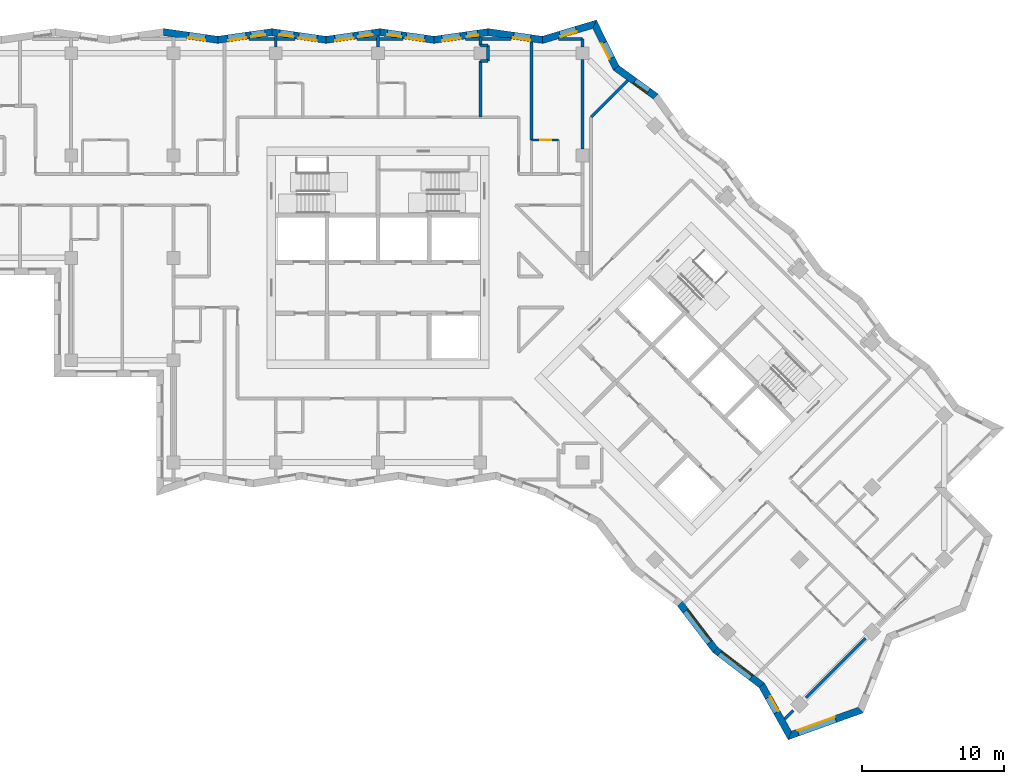
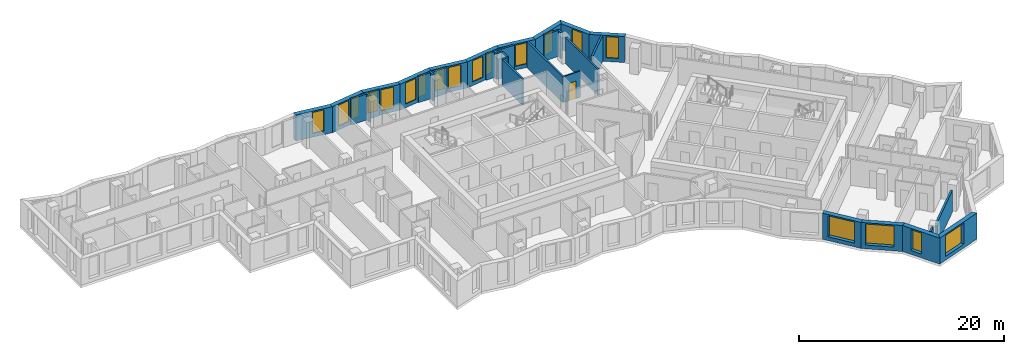
# One storey, part 7 of 12: 32 walls, 19 windows, 1 door, 20 openings.
"""IFC4 building model written with IfcOpenShell, lengths in metres."""

from ifc_helpers import new_model, si_unit, direction, frame, frame_2d, origin, place, context, subcontext, project, spatial, polyline, rectangle, outline, extrude, material, layer, layer_set, type_object, element, fill, save


model = new_model("IFC4")

# Units and contexts
model_context = context("Model", 3, precision=1e-05, world=origin(), true_north=direction((0.0, 1.0)))
body_context = subcontext(model_context, "Body", "Model", "MODEL_VIEW")
ifc_project = project(units=[si_unit("LENGTHUNIT", "METRE"), si_unit("AREAUNIT", "SQUARE_METRE"), si_unit("VOLUMEUNIT", "CUBIC_METRE"), si_unit("PLANEANGLEUNIT", "RADIAN"), si_unit("MASSUNIT", "GRAM", prefix="KILO")], contexts=[model_context])

# Site, building, storey
site_placement = place(None, origin())
site = spatial("IfcSite", under=ifc_project, at=site_placement, CompositionType="ELEMENT")
building_placement = place(site_placement, origin())
building = spatial("IfcBuilding", under=site, at=building_placement, Name="Windrow Commons", CompositionType="ELEMENT")
storey_placement = place(building_placement, frame((0.0, 0.0, 162.6)))
storey = spatial("IfcBuildingStorey", under=building, at=storey_placement, Name="L44", CompositionType="ELEMENT", Elevation=162.6)

# Wall, opening, window
ifc_material_1 = material(Name="Brick masonry, red clay brick", Category="masonry")
ifc_layer_1 = layer(ifc_material_1, 0.5)
ifc_layer_set_1 = layer_set([ifc_layer_1], Name="Brick facade wall 500")
wall_type_1 = type_object("IfcWallType", Name="Brick facade wall 500", PredefinedType="SOLIDWALL", material=ifc_layer_set_1)
wall_1_placement = place(storey_placement, frame((93.7807, 23.9816, 0.0), z_axis=(0.0, 0.0, 1.0), x_axis=(0.9412537462, 0.337700141, 0.0)))
wall_1 = element("IfcWall", 1, at=wall_1_placement, inside=storey, type_object=wall_type_1, Name="Brick facade wall L44 1", PredefinedType="SOLIDWALL", context=body_context, shape_type="SweptSolid", body=[
    extrude(outline(polyline([(-0.2116, -0.25), (5.4118, -0.25), (5.1858, 0.25), (0.2116, 0.25), (-0.2116, -0.25)])), origin(), (0.0, 0.0, 1.0), 3.1),
])
opening_1_placement = place(wall_1_placement, frame((0.6221, 0.0, 0.45)))
opening_1 = element("IfcOpeningElement", 2, at=opening_1_placement, cuts=wall_1, Name="Opening W1U", PredefinedType="OPENING", context=body_context, shape_type="SweptSolid", body=[
    extrude(rectangle(XDim=2.8, YDim=2.5, at=frame_2d((1.4, 1.25))), frame((0.0, 0.26, 0.0), z_axis=(0.0, -1.0, 0.0), x_axis=(1.0, 0.0, 0.0)), (0.0, 0.0, 1.0), 0.52),
])
ifc_material_2 = material(Name="Clear float glass in anodised aluminium frame", Category="aluminium")
window_type_1 = type_object("IfcWindowType", Name="Window W1U bedroom 2800x2500", PartitioningType="SINGLE_PANEL", PredefinedType="WINDOW", material=ifc_material_2)
window_1_placement = place(opening_1_placement, origin())
window_1 = element("IfcWindow", 3, at=window_1_placement, inside=storey, type_object=window_type_1, Name="Window L44 1.1", OverallHeight=2.5, OverallWidth=2.8, PartitioningType="SINGLE_PANEL", PredefinedType="WINDOW", context=body_context, shape_type="SweptSolid", body=[
    extrude(rectangle(XDim=2.8, YDim=2.5, at=frame_2d((1.4, 1.25))), frame((0.0, 0.18, 0.0), z_axis=(0.0, -1.0, 0.0), x_axis=(1.0, 0.0, 0.0)), (0.0, 0.0, 1.0), 0.06),
])
fill(opening_1, window_1)

wall_2_placement = place(storey_placement, frame((84.3481, 68.9575, 0.0), z_axis=(0.0, 0.0, 1.0), x_axis=(-0.8101255807, 0.5862563803, 0.0)))
wall_2 = element("IfcWall", 4, at=wall_2_placement, inside=storey, type_object=wall_type_1, Name="Brick facade wall L44 17", PredefinedType="SOLIDWALL", context=body_context, shape_type="SweptSolid", body=[
    extrude(outline(polyline([(-0.0401, -0.25), (3.3839, -0.25), (3.5075, 0.25), (0.0401, 0.25), (-0.0401, -0.25)])), origin(), (0.0, 0.0, 1.0), 3.1),
])
opening_2_placement = place(wall_2_placement, frame((0.6298, 0.0, 0.45)))
opening_2 = element("IfcOpeningElement", 5, at=opening_2_placement, cuts=wall_2, Name="Opening W7E", PredefinedType="OPENING", context=body_context, shape_type="SweptSolid", body=[
    extrude(rectangle(XDim=1.2, YDim=2.5, at=frame_2d((0.6, 1.25))), frame((0.0, 0.26, 0.0), z_axis=(0.0, -1.0, 0.0), x_axis=(1.0, 0.0, 0.0)), (0.0, 0.0, 1.0), 0.52),
])
ifc_material_3 = material(Name="Clear float glass in anodised aluminium frame", Category="aluminium")
window_type_2 = type_object("IfcWindowType", Name="Window W7 notch 1200x2500", PartitioningType="SINGLE_PANEL", PredefinedType="WINDOW", material=ifc_material_3)
window_2_placement = place(opening_2_placement, origin())
window_2 = element("IfcWindow", 6, at=window_2_placement, inside=storey, type_object=window_type_2, Name="Window L44 17.1", OverallHeight=2.5, OverallWidth=1.2, PartitioningType="SINGLE_PANEL", PredefinedType="WINDOW", context=body_context, shape_type="SweptSolid", body=[
    extrude(rectangle(XDim=1.2, YDim=2.5, at=frame_2d((0.6, 1.25))), frame((0.0, 0.18, 0.0), z_axis=(0.0, -1.0, 0.0), x_axis=(1.0, 0.0, 0.0)), (0.0, 0.0, 1.0), 0.06),
])
fill(opening_2, window_2)

wall_3_placement = place(storey_placement, frame((81.5566, 70.9776, 0.0), z_axis=(0.0, 0.0, 1.0), x_axis=(-0.4436419496, 0.8962041177, 0.0)))
wall_3 = element("IfcWall", 7, at=wall_3_placement, inside=storey, type_object=wall_type_1, Name="Brick facade wall L44 18", PredefinedType="SOLIDWALL", context=body_context, shape_type="SweptSolid", body=[
    extrude(outline(polyline([(0.0618, -0.25), (3.6303, -0.25), (3.2081, 0.25), (-0.0618, 0.25), (0.0618, -0.25)])), origin(), (0.0, 0.0, 1.0), 3.1),
])
opening_3_placement = place(wall_3_placement, frame((0.761, 0.0, 0.45)))
opening_3 = element("IfcOpeningElement", 8, at=opening_3_placement, cuts=wall_3, Name="Opening W7E", PredefinedType="OPENING", context=body_context, shape_type="SweptSolid", body=[
    extrude(rectangle(XDim=1.2, YDim=2.5, at=frame_2d((0.6, 1.25))), frame((0.0, 0.26, 0.0), z_axis=(0.0, -1.0, 0.0), x_axis=(1.0, 0.0, 0.0)), (0.0, 0.0, 1.0), 0.52),
])
window_3_placement = place(opening_3_placement, origin())
window_3 = element("IfcWindow", 9, at=window_3_placement, inside=storey, type_object=window_type_2, Name="Window L44 18.1", OverallHeight=2.5, OverallWidth=1.2, PartitioningType="SINGLE_PANEL", PredefinedType="WINDOW", context=body_context, shape_type="SweptSolid", body=[
    extrude(rectangle(XDim=1.2, YDim=2.5, at=frame_2d((0.6, 1.25))), frame((0.0, 0.18, 0.0), z_axis=(0.0, -1.0, 0.0), x_axis=(1.0, 0.0, 0.0)), (0.0, 0.0, 1.0), 0.06),
])
fill(opening_3, window_3)

wall_4_placement = place(storey_placement, frame((80.0397, 74.0419, 0.0), z_axis=(0.0, 0.0, 1.0), x_axis=(-0.9578277268, -0.2873430803, 0.0)))
wall_4 = element("IfcWall", 10, at=wall_4_placement, inside=storey, type_object=wall_type_1, Name="Brick facade wall L44 19", PredefinedType="SOLIDWALL", context=body_context, shape_type="SweptSolid", body=[
    extrude(outline(polyline([(-0.2111, -0.25), (3.7635, -0.25), (3.8734, 0.25), (0.2111, 0.25), (-0.2111, -0.25)])), origin(), (0.0, 0.0, 1.0), 3.1),
])
opening_4_placement = place(wall_4_placement, frame((1.3476, 0.0, 0.45)))
opening_4 = element("IfcOpeningElement", 11, at=opening_4_placement, cuts=wall_4, Name="Opening W7E", PredefinedType="OPENING", context=body_context, shape_type="SweptSolid", body=[
    extrude(rectangle(XDim=1.2, YDim=2.5, at=frame_2d((0.6, 1.25))), frame((0.0, 0.26, 0.0), z_axis=(0.0, -1.0, 0.0), x_axis=(1.0, 0.0, 0.0)), (0.0, 0.0, 1.0), 0.52),
])
window_4_placement = place(opening_4_placement, origin())
window_4 = element("IfcWindow", 12, at=window_4_placement, inside=storey, type_object=window_type_2, Name="Window L44 19.1", OverallHeight=2.5, OverallWidth=1.2, PartitioningType="SINGLE_PANEL", PredefinedType="WINDOW", context=body_context, shape_type="SweptSolid", body=[
    extrude(rectangle(XDim=1.2, YDim=2.5, at=frame_2d((0.6, 1.25))), frame((0.0, 0.18, 0.0), z_axis=(0.0, -1.0, 0.0), x_axis=(1.0, 0.0, 0.0)), (0.0, 0.0, 1.0), 0.06),
])
fill(opening_4, window_4)

wall_5_placement = place(storey_placement, frame((76.3823, 72.9447, 0.0), z_axis=(0.0, 0.0, 1.0), x_axis=(-0.9900145925, 0.140964913, 0.0)))
wall_5 = element("IfcWall", 13, at=wall_5_placement, inside=storey, type_object=wall_type_1, Name="Brick facade wall L44 20", PredefinedType="SOLIDWALL", context=body_context, shape_type="SweptSolid", body=[
    extrude(outline(polyline([(0.055, -0.25), (3.9004, -0.25), (3.8292, 0.25), (-0.055, 0.25), (0.055, -0.25)])), origin(), (0.0, 0.0, 1.0), 3.1),
])
opening_5_placement = place(wall_5_placement, frame((0.8597, 0.0, 0.45)))
opening_5 = element("IfcOpeningElement", 14, at=opening_5_placement, cuts=wall_5, Name="Opening W7E", PredefinedType="OPENING", context=body_context, shape_type="SweptSolid", body=[
    extrude(rectangle(XDim=1.2, YDim=2.5, at=frame_2d((0.6, 1.25))), frame((0.0, 0.26, 0.0), z_axis=(0.0, -1.0, 0.0), x_axis=(1.0, 0.0, 0.0)), (0.0, 0.0, 1.0), 0.52),
])
window_5_placement = place(opening_5_placement, origin())
window_5 = element("IfcWindow", 15, at=window_5_placement, inside=storey, type_object=window_type_2, Name="Window L44 20.1", OverallHeight=2.5, OverallWidth=1.2, PartitioningType="SINGLE_PANEL", PredefinedType="WINDOW", context=body_context, shape_type="SweptSolid", body=[
    extrude(rectangle(XDim=1.2, YDim=2.5, at=frame_2d((0.6, 1.25))), frame((0.0, 0.18, 0.0), z_axis=(0.0, -1.0, 0.0), x_axis=(1.0, 0.0, 0.0)), (0.0, 0.0, 1.0), 0.06),
])
fill(opening_5, window_5)

# Wall, openings, windows
wall_6_placement = place(storey_placement, frame((72.5561, 73.4895, 0.0), z_axis=(0.0, 0.0, 1.0), x_axis=(-0.990016994, -0.1409480459, 0.0)))
wall_6 = element("IfcWall", 16, at=wall_6_placement, inside=storey, type_object=wall_type_1, Name="Brick facade wall L44 21", PredefinedType="SOLIDWALL", context=body_context, shape_type="SweptSolid", body=[
    extrude(outline(polyline([(-0.0356, -0.25), (3.8098, -0.25), (3.881, 0.25), (0.0356, 0.25), (-0.0356, -0.25)])), origin(), (0.0, 0.0, 1.0), 3.1),
])
opening_6_placement = place(wall_6_placement, frame((0.7354, 0.0, 0.45)))
opening_6 = element("IfcOpeningElement", 17, at=opening_6_placement, cuts=wall_6, Name="Opening W1N", PredefinedType="OPENING", context=body_context, shape_type="SweptSolid", body=[
    extrude(rectangle(XDim=0.8, YDim=2.5, at=frame_2d((0.4, 1.25))), frame((0.0, 0.26, 0.0), z_axis=(0.0, -1.0, 0.0), x_axis=(1.0, 0.0, 0.0)), (0.0, 0.0, 1.0), 0.52),
])
opening_7_placement = place(wall_6_placement, frame((1.9854, 0.0, 0.45)))
opening_7 = element("IfcOpeningElement", 18, at=opening_7_placement, cuts=wall_6, Name="Opening W1Q", PredefinedType="OPENING", context=body_context, shape_type="SweptSolid", body=[
    extrude(rectangle(XDim=1.3, YDim=2.5, at=frame_2d((0.65, 1.25))), frame((0.0, 0.26, 0.0), z_axis=(0.0, -1.0, 0.0), x_axis=(1.0, 0.0, 0.0)), (0.0, 0.0, 1.0), 0.52),
])
ifc_material_4 = material(Name="Clear float glass in anodised aluminium frame", Category="aluminium")
window_type_3 = type_object("IfcWindowType", Name="Window W1N slit 800x2500", PartitioningType="SINGLE_PANEL", PredefinedType="WINDOW", material=ifc_material_4)
window_6_placement = place(opening_6_placement, origin())
window_6 = element("IfcWindow", 19, at=window_6_placement, inside=storey, type_object=window_type_3, Name="Window L44 21.1A", OverallHeight=2.5, OverallWidth=0.8, PartitioningType="SINGLE_PANEL", PredefinedType="WINDOW", context=body_context, shape_type="SweptSolid", body=[
    extrude(rectangle(XDim=0.8, YDim=2.5, at=frame_2d((0.4, 1.25))), frame((0.0, 0.14, 0.0), z_axis=(0.0, -1.0, 0.0), x_axis=(1.0, 0.0, 0.0)), (0.0, 0.0, 1.0), 0.06),
])
fill(opening_6, window_6)
ifc_material_5 = material(Name="Clear float glass in anodised aluminium frame", Category="aluminium")
window_type_4 = type_object("IfcWindowType", Name="Window W1Q pair 1300x2500", PartitioningType="SINGLE_PANEL", PredefinedType="WINDOW", material=ifc_material_5)
window_7_placement = place(opening_7_placement, origin())
window_7 = element("IfcWindow", 20, at=window_7_placement, inside=storey, type_object=window_type_4, Name="Window L44 21.1B", OverallHeight=2.5, OverallWidth=1.3, PartitioningType="SINGLE_PANEL", PredefinedType="WINDOW", context=body_context, shape_type="SweptSolid", body=[
    extrude(rectangle(XDim=1.3, YDim=2.5, at=frame_2d((0.65, 1.25))), frame((0.0, 0.18, 0.0), z_axis=(0.0, -1.0, 0.0), x_axis=(1.0, 0.0, 0.0)), (0.0, 0.0, 1.0), 0.06),
])
fill(opening_7, window_7)

wall_7_placement = place(storey_placement, frame((68.7491, 72.9475, 0.0), z_axis=(0.0, 0.0, 1.0), x_axis=(-0.990016994, 0.1409480459, 0.0)))
wall_7 = element("IfcWall", 21, at=wall_7_placement, inside=storey, type_object=wall_type_1, Name="Brick facade wall L44 22", PredefinedType="SOLIDWALL", context=body_context, shape_type="SweptSolid", body=[
    extrude(outline(polyline([(0.0356, -0.25), (3.881, -0.25), (3.8098, 0.25), (-0.0356, 0.25), (0.0356, -0.25)])), origin(), (0.0, 0.0, 1.0), 3.1),
])
opening_8_placement = place(wall_7_placement, frame((0.6797, 0.0, 0.45)))
opening_8 = element("IfcOpeningElement", 22, at=opening_8_placement, cuts=wall_7, Name="Opening W1Q", PredefinedType="OPENING", context=body_context, shape_type="SweptSolid", body=[
    extrude(rectangle(XDim=1.3, YDim=2.5, at=frame_2d((0.65, 1.25))), frame((0.0, 0.26, 0.0), z_axis=(0.0, -1.0, 0.0), x_axis=(1.0, 0.0, 0.0)), (0.0, 0.0, 1.0), 0.52),
])
opening_9_placement = place(wall_7_placement, frame((2.3297, 0.0, 0.45)))
opening_9 = element("IfcOpeningElement", 23, at=opening_9_placement, cuts=wall_7, Name="Opening W1S", PredefinedType="OPENING", context=body_context, shape_type="SweptSolid", body=[
    extrude(rectangle(XDim=1.0, YDim=2.5, at=frame_2d((0.5, 1.25))), frame((0.0, 0.26, 0.0), z_axis=(0.0, -1.0, 0.0), x_axis=(1.0, 0.0, 0.0)), (0.0, 0.0, 1.0), 0.52),
])
window_8_placement = place(opening_8_placement, origin())
window_8 = element("IfcWindow", 24, at=window_8_placement, inside=storey, type_object=window_type_4, Name="Window L44 22.1A", OverallHeight=2.5, OverallWidth=1.3, PartitioningType="SINGLE_PANEL", PredefinedType="WINDOW", context=body_context, shape_type="SweptSolid", body=[
    extrude(rectangle(XDim=1.3, YDim=2.5, at=frame_2d((0.65, 1.25))), frame((0.0, 0.18, 0.0), z_axis=(0.0, -1.0, 0.0), x_axis=(1.0, 0.0, 0.0)), (0.0, 0.0, 1.0), 0.06),
])
fill(opening_8, window_8)
ifc_material_6 = material(Name="Clear float glass in anodised aluminium frame", Category="aluminium")
window_type_5 = type_object("IfcWindowType", Name="Window W1S slit 1000x2500", PartitioningType="SINGLE_PANEL", PredefinedType="WINDOW", material=ifc_material_6)
window_9_placement = place(opening_9_placement, origin())
window_9 = element("IfcWindow", 25, at=window_9_placement, inside=storey, type_object=window_type_5, Name="Window L44 22.1B", OverallHeight=2.5, OverallWidth=1.0, PartitioningType="SINGLE_PANEL", PredefinedType="WINDOW", context=body_context, shape_type="SweptSolid", body=[
    extrude(rectangle(XDim=1.0, YDim=2.5, at=frame_2d((0.5, 1.25))), frame((0.0, 0.14, 0.0), z_axis=(0.0, -1.0, 0.0), x_axis=(1.0, 0.0, 0.0)), (0.0, 0.0, 1.0), 0.06),
])
fill(opening_9, window_9)

wall_8_placement = place(storey_placement, frame((64.9421, 73.4895, 0.0), z_axis=(0.0, 0.0, 1.0), x_axis=(-0.990016994, -0.1409480459, 0.0)))
wall_8 = element("IfcWall", 26, at=wall_8_placement, inside=storey, type_object=wall_type_1, Name="Brick facade wall L44 23", PredefinedType="SOLIDWALL", context=body_context, shape_type="SweptSolid", body=[
    extrude(outline(polyline([(-0.0356, -0.25), (3.8098, -0.25), (3.881, 0.25), (0.0356, 0.25), (-0.0356, -0.25)])), origin(), (0.0, 0.0, 1.0), 3.1),
])
opening_10_placement = place(wall_8_placement, frame((0.5539, 0.0, 0.45)))
opening_10 = element("IfcOpeningElement", 27, at=opening_10_placement, cuts=wall_8, Name="Opening W1S", PredefinedType="OPENING", context=body_context, shape_type="SweptSolid", body=[
    extrude(rectangle(XDim=1.0, YDim=2.5, at=frame_2d((0.5, 1.25))), frame((0.0, 0.26, 0.0), z_axis=(0.0, -1.0, 0.0), x_axis=(1.0, 0.0, 0.0)), (0.0, 0.0, 1.0), 0.52),
])
opening_11_placement = place(wall_8_placement, frame((1.9039, 0.0, 0.45)))
opening_11 = element("IfcOpeningElement", 28, at=opening_11_placement, cuts=wall_8, Name="Opening W1Q", PredefinedType="OPENING", context=body_context, shape_type="SweptSolid", body=[
    extrude(rectangle(XDim=1.3, YDim=2.5, at=frame_2d((0.65, 1.25))), frame((0.0, 0.26, 0.0), z_axis=(0.0, -1.0, 0.0), x_axis=(1.0, 0.0, 0.0)), (0.0, 0.0, 1.0), 0.52),
])
window_10_placement = place(opening_11_placement, origin())
window_10 = element("IfcWindow", 29, at=window_10_placement, inside=storey, type_object=window_type_4, Name="Window L44 23.1B", OverallHeight=2.5, OverallWidth=1.3, PartitioningType="SINGLE_PANEL", PredefinedType="WINDOW", context=body_context, shape_type="SweptSolid", body=[
    extrude(rectangle(XDim=1.3, YDim=2.5, at=frame_2d((0.65, 1.25))), frame((0.0, 0.18, 0.0), z_axis=(0.0, -1.0, 0.0), x_axis=(1.0, 0.0, 0.0)), (0.0, 0.0, 1.0), 0.06),
])
fill(opening_11, window_10)
window_11_placement = place(opening_10_placement, origin())
window_11 = element("IfcWindow", 30, at=window_11_placement, inside=storey, type_object=window_type_5, Name="Window L44 23.1A", OverallHeight=2.5, OverallWidth=1.0, PartitioningType="SINGLE_PANEL", PredefinedType="WINDOW", context=body_context, shape_type="SweptSolid", body=[
    extrude(rectangle(XDim=1.0, YDim=2.5, at=frame_2d((0.5, 1.25))), frame((0.0, 0.14, 0.0), z_axis=(0.0, -1.0, 0.0), x_axis=(1.0, 0.0, 0.0)), (0.0, 0.0, 1.0), 0.06),
])
fill(opening_10, window_11)

wall_9_placement = place(storey_placement, frame((61.1351, 72.9475, 0.0), z_axis=(0.0, 0.0, 1.0), x_axis=(-0.990016994, 0.1409480459, 0.0)))
wall_9 = element("IfcWall", 31, at=wall_9_placement, inside=storey, type_object=wall_type_1, Name="Brick facade wall L44 24", PredefinedType="SOLIDWALL", context=body_context, shape_type="SweptSolid", body=[
    extrude(outline(polyline([(0.0356, -0.25), (3.881, -0.25), (3.8098, 0.25), (-0.0356, 0.25), (0.0356, -0.25)])), origin(), (0.0, 0.0, 1.0), 3.1),
])
opening_12_placement = place(wall_9_placement, frame((0.6415, 0.0, 0.45)))
opening_12 = element("IfcOpeningElement", 32, at=opening_12_placement, cuts=wall_9, Name="Opening W1Q", PredefinedType="OPENING", context=body_context, shape_type="SweptSolid", body=[
    extrude(rectangle(XDim=1.3, YDim=2.5, at=frame_2d((0.65, 1.25))), frame((0.0, 0.26, 0.0), z_axis=(0.0, -1.0, 0.0), x_axis=(1.0, 0.0, 0.0)), (0.0, 0.0, 1.0), 0.52),
])
opening_13_placement = place(wall_9_placement, frame((2.2915, 0.0, 0.45)))
opening_13 = element("IfcOpeningElement", 33, at=opening_13_placement, cuts=wall_9, Name="Opening W1S", PredefinedType="OPENING", context=body_context, shape_type="SweptSolid", body=[
    extrude(rectangle(XDim=1.0, YDim=2.5, at=frame_2d((0.5, 1.25))), frame((0.0, 0.26, 0.0), z_axis=(0.0, -1.0, 0.0), x_axis=(1.0, 0.0, 0.0)), (0.0, 0.0, 1.0), 0.52),
])
window_12_placement = place(opening_12_placement, origin())
window_12 = element("IfcWindow", 34, at=window_12_placement, inside=storey, type_object=window_type_4, Name="Window L44 24.1A", OverallHeight=2.5, OverallWidth=1.3, PartitioningType="SINGLE_PANEL", PredefinedType="WINDOW", context=body_context, shape_type="SweptSolid", body=[
    extrude(rectangle(XDim=1.3, YDim=2.5, at=frame_2d((0.65, 1.25))), frame((0.0, 0.18, 0.0), z_axis=(0.0, -1.0, 0.0), x_axis=(1.0, 0.0, 0.0)), (0.0, 0.0, 1.0), 0.06),
])
fill(opening_12, window_12)
window_13_placement = place(opening_13_placement, origin())
window_13 = element("IfcWindow", 35, at=window_13_placement, inside=storey, type_object=window_type_5, Name="Window L44 24.1B", OverallHeight=2.5, OverallWidth=1.0, PartitioningType="SINGLE_PANEL", PredefinedType="WINDOW", context=body_context, shape_type="SweptSolid", body=[
    extrude(rectangle(XDim=1.0, YDim=2.5, at=frame_2d((0.5, 1.25))), frame((0.0, 0.14, 0.0), z_axis=(0.0, -1.0, 0.0), x_axis=(1.0, 0.0, 0.0)), (0.0, 0.0, 1.0), 0.06),
])
fill(opening_13, window_13)

wall_10_placement = place(storey_placement, frame((57.3281, 73.4895, 0.0), z_axis=(0.0, 0.0, 1.0), x_axis=(-0.990016994, -0.1409480459, 0.0)))
wall_10 = element("IfcWall", 36, at=wall_10_placement, inside=storey, type_object=wall_type_1, Name="Brick facade wall L44 25", PredefinedType="SOLIDWALL", context=body_context, shape_type="SweptSolid", body=[
    extrude(outline(polyline([(-0.0356, -0.25), (3.8098, -0.25), (3.881, 0.25), (0.0356, 0.25), (-0.0356, -0.25)])), origin(), (0.0, 0.0, 1.0), 3.1),
])
opening_14_placement = place(wall_10_placement, frame((0.4829, 0.0, 0.45)))
opening_14 = element("IfcOpeningElement", 37, at=opening_14_placement, cuts=wall_10, Name="Opening W1S", PredefinedType="OPENING", context=body_context, shape_type="SweptSolid", body=[
    extrude(rectangle(XDim=1.0, YDim=2.5, at=frame_2d((0.5, 1.25))), frame((0.0, 0.26, 0.0), z_axis=(0.0, -1.0, 0.0), x_axis=(1.0, 0.0, 0.0)), (0.0, 0.0, 1.0), 0.52),
])
opening_15_placement = place(wall_10_placement, frame((1.8329, 0.0, 0.45)))
opening_15 = element("IfcOpeningElement", 38, at=opening_15_placement, cuts=wall_10, Name="Opening W1Q", PredefinedType="OPENING", context=body_context, shape_type="SweptSolid", body=[
    extrude(rectangle(XDim=1.3, YDim=2.5, at=frame_2d((0.65, 1.25))), frame((0.0, 0.26, 0.0), z_axis=(0.0, -1.0, 0.0), x_axis=(1.0, 0.0, 0.0)), (0.0, 0.0, 1.0), 0.52),
])
window_14_placement = place(opening_15_placement, origin())
window_14 = element("IfcWindow", 39, at=window_14_placement, inside=storey, type_object=window_type_4, Name="Window L44 25.1B", OverallHeight=2.5, OverallWidth=1.3, PartitioningType="SINGLE_PANEL", PredefinedType="WINDOW", context=body_context, shape_type="SweptSolid", body=[
    extrude(rectangle(XDim=1.3, YDim=2.5, at=frame_2d((0.65, 1.25))), frame((0.0, 0.18, 0.0), z_axis=(0.0, -1.0, 0.0), x_axis=(1.0, 0.0, 0.0)), (0.0, 0.0, 1.0), 0.06),
])
fill(opening_15, window_14)
window_15_placement = place(opening_14_placement, origin())
window_15 = element("IfcWindow", 40, at=window_15_placement, inside=storey, type_object=window_type_5, Name="Window L44 25.1A", OverallHeight=2.5, OverallWidth=1.0, PartitioningType="SINGLE_PANEL", PredefinedType="WINDOW", context=body_context, shape_type="SweptSolid", body=[
    extrude(rectangle(XDim=1.0, YDim=2.5, at=frame_2d((0.5, 1.25))), frame((0.0, 0.15, 0.0), z_axis=(0.0, -1.0, 0.0), x_axis=(1.0, 0.0, 0.0)), (0.0, 0.0, 1.0), 0.06),
])
fill(opening_14, window_15)

# Wall, opening, window
wall_11_placement = place(storey_placement, frame((53.5211, 72.9475, 0.0), z_axis=(0.0, 0.0, 1.0), x_axis=(-0.990016994, 0.1409480459, 0.0)))
wall_11 = element("IfcWall", 41, at=wall_11_placement, inside=storey, type_object=wall_type_1, Name="Brick facade wall L44 26", PredefinedType="SOLIDWALL", context=body_context, shape_type="SweptSolid", body=[
    extrude(outline(polyline([(0.0356, -0.25), (3.881, -0.25), (3.8098, 0.25), (-0.0356, 0.25), (0.0356, -0.25)])), origin(), (0.0, 0.0, 1.0), 3.1),
])
opening_16_placement = place(wall_11_placement, frame((0.8763, 0.0, 0.45)))
opening_16 = element("IfcOpeningElement", 42, at=opening_16_placement, cuts=wall_11, Name="Opening W7E", PredefinedType="OPENING", context=body_context, shape_type="SweptSolid", body=[
    extrude(rectangle(XDim=1.2, YDim=2.5, at=frame_2d((0.6, 1.25))), frame((0.0, 0.26, 0.0), z_axis=(0.0, -1.0, 0.0), x_axis=(1.0, 0.0, 0.0)), (0.0, 0.0, 1.0), 0.52),
])
window_16_placement = place(opening_16_placement, origin())
window_16 = element("IfcWindow", 43, at=window_16_placement, inside=storey, type_object=window_type_2, Name="Window L44 26.1", OverallHeight=2.5, OverallWidth=1.2, PartitioningType="SINGLE_PANEL", PredefinedType="WINDOW", context=body_context, shape_type="SweptSolid", body=[
    extrude(rectangle(XDim=1.2, YDim=2.5, at=frame_2d((0.6, 1.25))), frame((0.0, 0.18, 0.0), z_axis=(0.0, -1.0, 0.0), x_axis=(1.0, 0.0, 0.0)), (0.0, 0.0, 1.0), 0.06),
])
fill(opening_16, window_16)

wall_12_placement = place(storey_placement, frame((86.0603, 33.2523, 0.0), z_axis=(0.0, 0.0, 1.0), x_axis=(0.6070676125, -0.7946501833, 0.0)))
wall_12 = element("IfcWall", 44, at=wall_12_placement, inside=storey, type_object=wall_type_1, Name="Brick facade wall L44 53", PredefinedType="SOLIDWALL", context=body_context, shape_type="SweptSolid", body=[
    extrude(outline(polyline([(0.0335, -0.25), (4.1197, -0.25), (4.0527, 0.25), (-0.0335, 0.25), (0.0335, -0.25)])), origin(), (0.0, 0.0, 1.0), 3.1),
])
opening_17_placement = place(wall_12_placement, frame((0.6264, 0.0, 0.45)))
opening_17 = element("IfcOpeningElement", 45, at=opening_17_placement, cuts=wall_12, Name="Opening W1U", PredefinedType="OPENING", context=body_context, shape_type="SweptSolid", body=[
    extrude(rectangle(XDim=2.8, YDim=2.5, at=frame_2d((1.4, 1.25))), frame((0.0, 0.26, 0.0), z_axis=(0.0, -1.0, 0.0), x_axis=(1.0, 0.0, 0.0)), (0.0, 0.0, 1.0), 0.52),
])
window_17_placement = place(opening_17_placement, origin())
window_17 = element("IfcWindow", 46, at=window_17_placement, inside=storey, type_object=window_type_1, Name="Window L44 53.1", OverallHeight=2.5, OverallWidth=2.8, PartitioningType="SINGLE_PANEL", PredefinedType="WINDOW", context=body_context, shape_type="SweptSolid", body=[
    extrude(rectangle(XDim=2.8, YDim=2.5, at=frame_2d((1.4, 1.25))), frame((0.0, 0.18, 0.0), z_axis=(0.0, -1.0, 0.0), x_axis=(1.0, 0.0, 0.0)), (0.0, 0.0, 1.0), 0.06),
])
fill(opening_17, window_17)

wall_13_placement = place(storey_placement, frame((88.5409, 30.0052, 0.0), z_axis=(0.0, 0.0, 1.0), x_axis=(0.7946475008, -0.6070711239, 0.0)))
wall_13 = element("IfcWall", 47, at=wall_13_placement, inside=storey, type_object=wall_type_1, Name="Brick facade wall L44 54", PredefinedType="SOLIDWALL", context=body_context, shape_type="SweptSolid", body=[
    extrude(outline(polyline([(-0.0335, -0.25), (4.0527, -0.25), (4.1562, 0.25), (0.0335, 0.25), (-0.0335, -0.25)])), origin(), (0.0, 0.0, 1.0), 3.1),
])
opening_18_placement = place(wall_13_placement, frame((0.3815, 0.0, 0.45)))
opening_18 = element("IfcOpeningElement", 48, at=opening_18_placement, cuts=wall_13, Name="Opening W1U", PredefinedType="OPENING", context=body_context, shape_type="SweptSolid", body=[
    extrude(rectangle(XDim=2.8, YDim=2.5, at=frame_2d((1.4, 1.25))), frame((0.0, 0.26, 0.0), z_axis=(0.0, -1.0, 0.0), x_axis=(1.0, 0.0, 0.0)), (0.0, 0.0, 1.0), 0.52),
])
window_18_placement = place(opening_18_placement, origin())
window_18 = element("IfcWindow", 49, at=window_18_placement, inside=storey, type_object=window_type_1, Name="Window L44 54.1", OverallHeight=2.5, OverallWidth=2.8, PartitioningType="SINGLE_PANEL", PredefinedType="WINDOW", context=body_context, shape_type="SweptSolid", body=[
    extrude(rectangle(XDim=2.8, YDim=2.5, at=frame_2d((1.4, 1.25))), frame((0.0, 0.18, 0.0), z_axis=(0.0, -1.0, 0.0), x_axis=(1.0, 0.0, 0.0)), (0.0, 0.0, 1.0), 0.06),
])
fill(opening_18, window_18)

wall_14_placement = place(storey_placement, frame((91.8025, 27.5135, 0.0), z_axis=(0.0, 0.0, 1.0), x_axis=(0.4886665533, -0.8724706297, 0.0)))
wall_14 = element("IfcWall", 50, at=wall_14_placement, inside=storey, type_object=wall_type_1, Name="Brick facade wall L44 55", PredefinedType="SOLIDWALL", context=body_context, shape_type="SweptSolid", body=[
    extrude(outline(polyline([(0.0517, -0.25), (4.2597, -0.25), (3.8366, 0.25), (-0.0517, 0.25), (0.0517, -0.25)])), origin(), (0.0, 0.0, 1.0), 3.1),
])
opening_19_placement = place(wall_14_placement, frame((0.9712, 0.0, 0.45)))
opening_19 = element("IfcOpeningElement", 51, at=opening_19_placement, cuts=wall_14, Name="Opening W7E", PredefinedType="OPENING", context=body_context, shape_type="SweptSolid", body=[
    extrude(rectangle(XDim=1.2, YDim=2.5, at=frame_2d((0.6, 1.25))), frame((0.0, 0.26, 0.0), z_axis=(0.0, -1.0, 0.0), x_axis=(1.0, 0.0, 0.0)), (0.0, 0.0, 1.0), 0.52),
])
window_19_placement = place(opening_19_placement, origin())
window_19 = element("IfcWindow", 52, at=window_19_placement, inside=storey, type_object=window_type_2, Name="Window L44 55.1", OverallHeight=2.5, OverallWidth=1.2, PartitioningType="SINGLE_PANEL", PredefinedType="WINDOW", context=body_context, shape_type="SweptSolid", body=[
    extrude(rectangle(XDim=1.2, YDim=2.5, at=frame_2d((0.6, 1.25))), frame((0.0, 0.18, 0.0), z_axis=(0.0, -1.0, 0.0), x_axis=(1.0, 0.0, 0.0)), (0.0, 0.0, 1.0), 0.06),
])
fill(opening_19, window_19)

# Wall, opening, door
ifc_material_7 = material(Name="Blockwork partition", Category="masonry")
ifc_layer_2 = layer(ifc_material_7, 0.15)
ifc_layer_set_2 = layer_set([ifc_layer_2], Name="IW-ENSUITE-150")
wall_type_2 = type_object("IfcWallType", Name="IW-ENSUITE-150", PredefinedType="PARTITIONING", material=ifc_layer_set_2)
wall_15_placement = place(storey_placement, frame((75.6, 65.9, 0.0), z_axis=(0.0, 0.0, 1.0), x_axis=(1.0, 0.0, 0.0)))
wall_15 = element("IfcWall", 53, at=wall_15_placement, inside=storey, type_object=wall_type_2, Name="W-L44-W114", PredefinedType="PARTITIONING", context=body_context, shape_type="SweptSolid", body=[
    extrude(rectangle(XDim=1.9, YDim=0.15, at=frame_2d((0.95, 0.0))), origin(), (0.0, 0.0, 1.0), 3.1),
])
opening_20_placement = place(wall_15_placement, frame((0.6069, 0.0, 0.0)))
opening_20 = element("IfcOpeningElement", 54, at=opening_20_placement, cuts=wall_15, Name="Opening D208N", PredefinedType="OPENING", context=body_context, shape_type="SweptSolid", body=[
    extrude(rectangle(XDim=0.8, YDim=2.1, at=frame_2d((0.4, 1.05))), frame((0.0, 0.085, 0.0), z_axis=(0.0, -1.0, 0.0), x_axis=(1.0, 0.0, 0.0)), (0.0, 0.0, 1.0), 0.17),
])
ifc_material_8 = material(Name="Timber door leaf", Category="wood")
door_type = type_object("IfcDoorType", Name="DT-ENSUITE-800", OperationType="SINGLE_SWING_LEFT", PredefinedType="DOOR", material=ifc_material_8)
door_placement = place(opening_20_placement, origin())
door = element("IfcDoor", 55, at=door_placement, inside=storey, type_object=door_type, Name="D-L44-D024", OperationType="SINGLE_SWING_RIGHT", OverallHeight=2.1, OverallWidth=0.8, PredefinedType="DOOR", context=body_context, shape_type="SweptSolid", body=[
    extrude(rectangle(XDim=0.8, YDim=2.1, at=frame_2d((0.4, 1.05))), frame((0.0, 0.025, 0.0), z_axis=(0.0, -1.0, 0.0), x_axis=(1.0, 0.0, 0.0)), (0.0, 0.0, 1.0), 0.05),
])
fill(opening_20, door)

# Walls
ifc_material_9 = material(Name="Blockwork partition", Category="masonry")
ifc_layer_3 = layer(ifc_material_9, 0.2)
ifc_layer_set_3 = layer_set([ifc_layer_3], Name="IW-PARTY-200")
wall_type_3 = type_object("IfcWallType", Name="IW-PARTY-200", PredefinedType="PARTITIONING", material=ifc_layer_set_3)
wall_16_placement = place(storey_placement, frame((75.6, 65.9, 0.0), z_axis=(0.0, 0.0, 1.0), x_axis=(0.0, 1.0, 0.0)))
element("IfcWall", 56, at=wall_16_placement, inside=storey, type_object=wall_type_3, Name="W-L44-W017", PredefinedType="PARTITIONING", context=body_context, shape_type="SweptSolid", body=[
    extrude(rectangle(XDim=6.9036, YDim=0.2, at=frame_2d((3.4518, 0.0))), origin(), (0.0, 0.0, 1.0), 3.1),
])
wall_17_placement = place(storey_placement, frame((79.2, 65.25, 0.0), z_axis=(0.0, 0.0, 1.0), x_axis=(0.0, 1.0, 0.0)))
element("IfcWall", 57, at=wall_17_placement, inside=storey, type_object=wall_type_3, Name="W-L44-W026", PredefinedType="PARTITIONING", context=body_context, shape_type="SweptSolid", body=[
    extrude(rectangle(XDim=6.3, YDim=0.2, at=frame_2d((3.15, 0.0))), origin(), (0.0, 0.0, 1.0), 3.1),
])
wall_18_placement = place(storey_placement, frame((94.9232, 26.6308, 0.0), z_axis=(0.0, 0.0, 1.0), x_axis=(0.7071067812, 0.7071067812, 0.0)))
element("IfcWall", 58, at=wall_18_placement, inside=storey, type_object=wall_type_3, Name="W-L44-W029", PredefinedType="PARTITIONING", context=body_context, shape_type="SweptSolid", body=[
    extrude(rectangle(XDim=5.9256, YDim=0.2, at=frame_2d((2.9628, 0.0))), origin(), (0.0, 0.0, 1.0), 2.6),
])
wall_19_placement = place(storey_placement, frame((72.0, 67.5, 0.0), z_axis=(0.0, 0.0, 1.0), x_axis=(0.0, 1.0, 0.0)))
element("IfcWall", 59, at=wall_19_placement, inside=storey, type_object=wall_type_3, Name="W-L44-W044", PredefinedType="PARTITIONING", context=body_context, shape_type="SweptSolid", body=[
    extrude(rectangle(XDim=3.946, YDim=0.2, at=frame_2d((1.973, 0.0))), origin(), (0.0, 0.0, 1.0), 3.1),
])
wall_20_placement = place(storey_placement, frame((79.7977, 67.5103, 0.0), z_axis=(0.0, 0.0, 1.0), x_axis=(0.7068316745, 0.7073817809, 0.0)))
element("IfcWall", 60, at=wall_20_placement, inside=storey, type_object=wall_type_3, Name="W-L44-W047", PredefinedType="PARTITIONING", context=body_context, shape_type="SweptSolid", body=[
    extrude(rectangle(XDim=3.6357, YDim=0.2, at=frame_2d((1.8178, 0.0))), origin(), (0.0, 0.0, 1.0), 3.1),
])
for number, where, z_axis, x_axis, name in (
    (61, (55.7137, 73.0, 0.0), (0.0, 0.0, 1.0), (1.0, 0.0, 0.0), "W-L44-W051"),
    (62, (63.3277, 73.0, 0.0), (0.0, 0.0, 1.0), (1.0, 0.0, 0.0), "W-L44-W052"),
    (63, (70.9417, 73.0, 0.0), (0.0, 0.0, 1.0), (1.0, 0.0, 0.0), "W-L44-W056"),
):
    element("IfcWall", number, at=place(storey_placement, frame(where, z_axis=z_axis, x_axis=x_axis)), inside=storey, type_object=wall_type_3, Name=name, PredefinedType="PARTITIONING", context=body_context, shape_type="SweptSolid", body=[
        extrude(rectangle(XDim=3.2288, YDim=0.2, at=frame_2d((1.6144, 0.0))), origin(), (0.0, 0.0, 1.0), 3.1),
    ])
wall_21_placement = place(storey_placement, frame((77.4866, 73.0, 0.0), z_axis=(0.0, 0.0, 1.0), x_axis=(1.0, 0.0, 0.0)))
element("IfcWall", 64, at=wall_21_placement, inside=storey, type_object=wall_type_3, Name="W-L44-W129", PredefinedType="PARTITIONING", context=body_context, shape_type="SweptSolid", body=[
    extrude(rectangle(XDim=1.7134, YDim=0.2, at=frame_2d((0.8567, 0.0))), origin(), (0.0, 0.0, 1.0), 3.1),
])
wall_22_placement = place(storey_placement, frame((72.55, 71.446, 0.0), z_axis=(0.0, 0.0, 1.0), x_axis=(0.0, 1.0, 0.0)))
element("IfcWall", 65, at=wall_22_placement, inside=storey, type_object=wall_type_3, Name="W-L44-W140", PredefinedType="PARTITIONING", context=body_context, shape_type="SweptSolid", body=[
    extrude(rectangle(XDim=1.108, YDim=0.2, at=frame_2d((0.554, 0.0))), origin(), (0.0, 0.0, 1.0), 3.1),
])
wall_23_placement = place(storey_placement, frame((93.4235, 25.1311, 0.0), z_axis=(0.0, 0.0, 1.0), x_axis=(0.7071067812, 0.7071067812, 0.0)))
element("IfcWall", 66, at=wall_23_placement, inside=storey, type_object=wall_type_3, Name="W-L44-W153", PredefinedType="PARTITIONING", context=body_context, shape_type="SweptSolid", body=[
    extrude(rectangle(XDim=0.8481, YDim=0.2, at=frame_2d((0.424, 0.0))), origin(), (0.0, 0.0, 1.0), 3.1),
])
wall_24_placement = place(storey_placement, frame((57.6, 72.45, 0.0), z_axis=(0.0, 0.0, 1.0), x_axis=(0.0, 1.0, 0.0)))
element("IfcWall", 67, at=wall_24_placement, inside=storey, type_object=wall_type_3, Name="W-L44-W167", PredefinedType="PARTITIONING", context=body_context, shape_type="SweptSolid", body=[
    extrude(rectangle(XDim=0.7482, YDim=0.2, at=frame_2d((0.3741, 0.0))), origin(), (0.0, 0.0, 1.0), 3.1),
])
wall_25_placement = place(storey_placement, frame((64.8, 72.45, 0.0), z_axis=(0.0, 0.0, 1.0), x_axis=(0.0, 1.0, 0.0)))
element("IfcWall", 68, at=wall_25_placement, inside=storey, type_object=wall_type_3, Name="W-L44-W168", PredefinedType="PARTITIONING", context=body_context, shape_type="SweptSolid", body=[
    extrude(rectangle(XDim=0.7667, YDim=0.2, at=frame_2d((0.3834, 0.0))), origin(), (0.0, 0.0, 1.0), 3.1),
])
for number, where, z_axis, x_axis, name in (
    (69, (72.0, 71.45, 0.0), (0.0, 0.0, 1.0), (1.0, 0.0, 0.0), "W-L44-W169"),
    (70, (72.0, 72.55, 0.0), (0.0, 0.0, 1.0), (1.0, 0.0, 0.0), "W-L44-W170"),
    (71, (79.2, 72.45, 0.0), (0.0, 0.0, 1.0), (0.0, 1.0, 0.0), "W-L44-W171"),
):
    element("IfcWall", number, at=place(storey_placement, frame(where, z_axis=z_axis, x_axis=x_axis)), inside=storey, type_object=wall_type_3, Name=name, PredefinedType="PARTITIONING", context=body_context, shape_type="SweptSolid", body=[
        extrude(rectangle(XDim=0.55, YDim=0.2, at=frame_2d((0.275, 0.0))), origin(), (0.0, 0.0, 1.0), 3.1),
    ])
wall_26_placement = place(storey_placement, frame((72.0, 72.554, 0.0), z_axis=(0.0, 0.0, 1.0), x_axis=(0.0, 1.0, 0.0)))
element("IfcWall", 72, at=wall_26_placement, inside=storey, type_object=wall_type_3, Name="W-L44-W189", PredefinedType="PARTITIONING", context=body_context, shape_type="SweptSolid", body=[
    extrude(rectangle(XDim=0.6038, YDim=0.2, at=frame_2d((0.3019, 0.0))), origin(), (0.0, 0.0, 1.0), 3.1),
])

save(model, "model.ifc")
